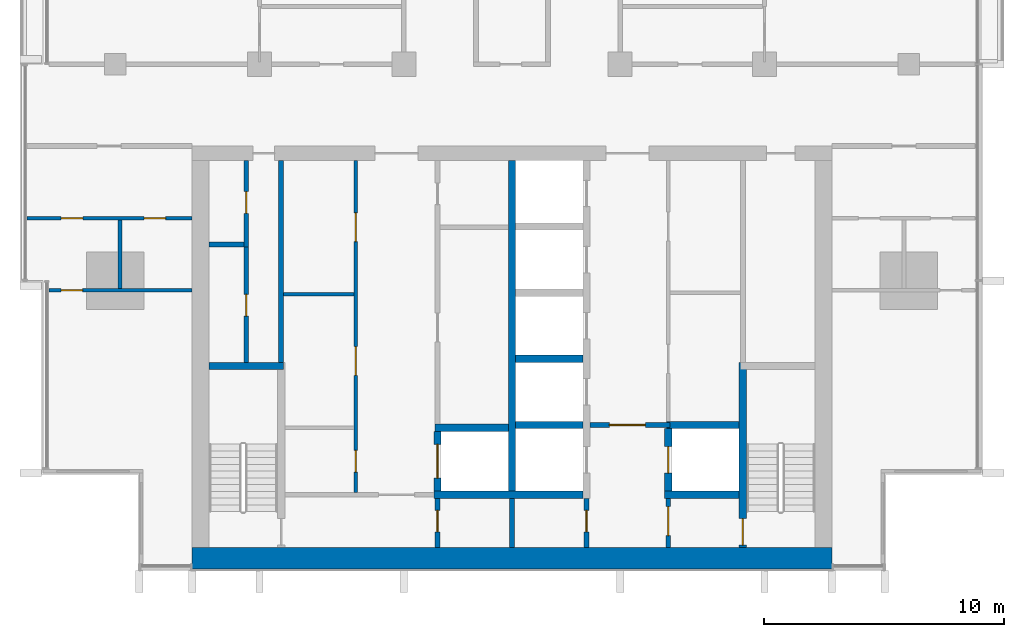
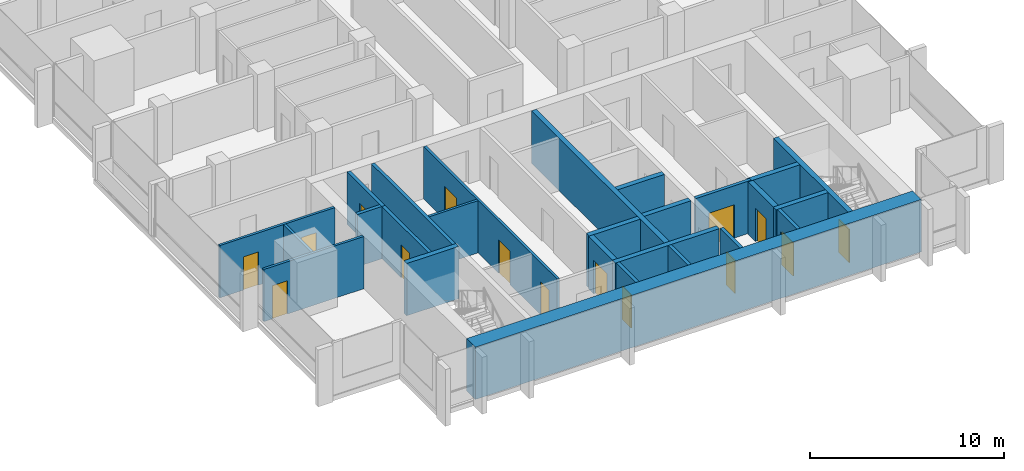
# One storey, part 7 of 16: 26 walls, 15 doors, 15 openings.
"""IFC4 building model written with IfcOpenShell, lengths in metres."""

from ifc_helpers import new_model, si_unit, direction, frame, frame_2d, origin, place, context, subcontext, project, spatial, rectangle, extrude, material, layer, layer_set, type_object, element, fill, save


model = new_model("IFC4")

# Units and contexts
model_context = context("Model", 3, precision=1e-05, world=origin(), true_north=direction((0.0, 1.0)))
body_context = subcontext(model_context, "Body", "Model", "MODEL_VIEW")
ifc_project = project(units=[si_unit("LENGTHUNIT", "METRE"), si_unit("AREAUNIT", "SQUARE_METRE"), si_unit("VOLUMEUNIT", "CUBIC_METRE"), si_unit("PLANEANGLEUNIT", "RADIAN"), si_unit("MASSUNIT", "GRAM", prefix="KILO")], contexts=[model_context])

# Site, building, storey
site_placement = place(None, origin())
site = spatial("IfcSite", under=ifc_project, at=site_placement, CompositionType="ELEMENT")
building_placement = place(site_placement, origin())
building = spatial("IfcBuilding", under=site, at=building_placement, Name="Finial Court Residences", CompositionType="ELEMENT")
storey_placement = place(building_placement, frame((0.0, 0.0, 160.10009765625)))
storey = spatial("IfcBuildingStorey", under=building, at=storey_placement, Name="L39", CompositionType="ELEMENT", Elevation=160.10009765625)

# Wall
ifc_material_1 = material(Name="Fire-rated gypsum board partition")
ifc_layer_1 = layer(ifc_material_1, 0.14990234375)
ifc_layer_set_1 = layer_set([ifc_layer_1], Name="Core room partition 150 EI 60")
wall_type_1 = type_object("IfcWallType", Name="Core room partition 150 EI 60", PredefinedType="PARTITIONING", material=ifc_layer_set_1)
wall_1_placement = place(storey_placement, frame((-9.5, -14.06005859375, 0.0), z_axis=(0.0, 0.0, 1.0), x_axis=(1.0, 0.0, 0.0)))
element("IfcWall", 1, at=wall_1_placement, inside=storey, type_object=wall_type_1, Name="Core partition L39-12", PredefinedType="PARTITIONING", context=body_context, shape_type="SweptSolid", body=[
    extrude(rectangle(XDim=2.925048828125, YDim=0.14990234375, at=frame_2d((1.46240234375, 0.0))), origin(), (0.0, 0.0, 1.0), 3.2998046875),
])

# Wall, openings, doors
wall_2_placement = place(storey_placement, frame((-6.5, -22.300048828125, 0.0), z_axis=(0.0, 0.0, 1.0), x_axis=(0.0, 1.0, 0.0)))
wall_2 = element("IfcWall", 2, at=wall_2_placement, inside=storey, type_object=wall_type_1, Name="Core partition L39-22", PredefinedType="PARTITIONING", context=body_context, shape_type="SweptSolid", body=[
    extrude(rectangle(XDim=13.800048828125, YDim=0.14990234375, at=frame_2d((6.89990234375, 0.0))), origin(), (0.0, 0.0, 1.0), 3.2998046875),
])
opening_1_placement = place(wall_2_placement, frame((0.840087890625, 0.0, 0.0)))
opening_1 = element("IfcOpeningElement", 3, at=opening_1_placement, cuts=wall_2, Name="Opening L39-C14", PredefinedType="OPENING", context=body_context, shape_type="SweptSolid", body=[
    extrude(rectangle(XDim=0.89990234375, YDim=2.10009765625, at=frame_2d((0.449951171875, 1.050048828125))), frame((0.0, 0.0849609375, 0.0), z_axis=(0.0, -1.0, 0.0), x_axis=(1.0, 0.0, 0.0)), (0.0, 0.0, 1.0), 0.169921875),
])
opening_2_placement = place(wall_2_placement, frame((4.860107421875, 0.0, 0.0)))
opening_2 = element("IfcOpeningElement", 4, at=opening_2_placement, cuts=wall_2, Name="Opening L39-C15", PredefinedType="OPENING", context=body_context, shape_type="SweptSolid", body=[
    extrude(rectangle(XDim=1.199951171875, YDim=2.10009765625, at=frame_2d((0.60009765625, 1.050048828125))), frame((0.0, 0.0849609375, 0.0), z_axis=(0.0, -1.0, 0.0), x_axis=(1.0, 0.0, 0.0)), (0.0, 0.0, 1.0), 0.169921875),
])
opening_3_placement = place(wall_2_placement, frame((10.419921875, 0.0, 0.0)))
opening_3 = element("IfcOpeningElement", 5, at=opening_3_placement, cuts=wall_2, Name="Opening L39-C16", PredefinedType="OPENING", context=body_context, shape_type="SweptSolid", body=[
    extrude(rectangle(XDim=1.199951171875, YDim=2.10009765625, at=frame_2d((0.60009765625, 1.050048828125))), frame((0.0, 0.0849609375, 0.0), z_axis=(0.0, -1.0, 0.0), x_axis=(1.0, 0.0, 0.0)), (0.0, 0.0, 1.0), 0.169921875),
])
ifc_material_2 = material(Name="Steel fire door", Category="steel")
door_type_1 = type_object("IfcDoorType", Name="Core room door 1200 x 2100 EI 60", OperationType="NOTDEFINED", PredefinedType="DOOR", material=ifc_material_2)
door_1_placement = place(opening_2_placement, origin())
door_1 = element("IfcDoor", 6, at=door_1_placement, inside=storey, type_object=door_type_1, Name="Core room door L39-C15", OperationType="SINGLE_SWING_RIGHT", OverallHeight=2.10009765625, OverallWidth=1.199951171875, PredefinedType="DOOR", context=body_context, shape_type="SweptSolid", body=[
    extrude(rectangle(XDim=1.199951171875, YDim=2.10009765625, at=frame_2d((0.60009765625, 1.050048828125))), frame((0.0, 0.02490234375, 0.0), z_axis=(0.0, -1.0, 0.0), x_axis=(1.0, 0.0, 0.0)), (0.0, 0.0, 1.0), 0.050048828125),
])
fill(opening_2, door_1)
door_2_placement = place(opening_3_placement, origin())
door_2 = element("IfcDoor", 7, at=door_2_placement, inside=storey, type_object=door_type_1, Name="Core room door L39-C16", OperationType="SINGLE_SWING_RIGHT", OverallHeight=2.10009765625, OverallWidth=1.199951171875, PredefinedType="DOOR", context=body_context, shape_type="SweptSolid", body=[
    extrude(rectangle(XDim=1.199951171875, YDim=2.10009765625, at=frame_2d((0.60009765625, 1.050048828125))), frame((0.0, 0.02490234375, 0.0), z_axis=(0.0, -1.0, 0.0), x_axis=(1.0, 0.0, 0.0)), (0.0, 0.0, 1.0), 0.050048828125),
])
fill(opening_3, door_2)
door_type_2 = type_object("IfcDoorType", Name="Core room door 900 x 2100 EI 60", OperationType="NOTDEFINED", PredefinedType="DOOR", material=ifc_material_2)
door_3_placement = place(opening_1_placement, origin())
door_3 = element("IfcDoor", 8, at=door_3_placement, inside=storey, type_object=door_type_2, Name="Core room door L39-C14", OperationType="SINGLE_SWING_LEFT", OverallHeight=2.10009765625, OverallWidth=0.89990234375, PredefinedType="DOOR", context=body_context, shape_type="SweptSolid", body=[
    extrude(rectangle(XDim=0.89990234375, YDim=2.10009765625, at=frame_2d((0.449951171875, 1.050048828125))), frame((0.0, 0.02490234375, 0.0), z_axis=(0.0, -1.0, 0.0), x_axis=(1.0, 0.0, 0.0)), (0.0, 0.0, 1.0), 0.050048828125),
])
fill(opening_1, door_3)

# Wall
ifc_material_3 = material(Name="Concrete C70/85", Category="concrete")
ifc_layer_2 = layer(ifc_material_3, 0.89990234375)
ifc_layer_set_2 = layer_set([ifc_layer_2], Name="Core south facade wall 900 Concrete C70/85")
wall_type_2 = type_object("IfcWallType", Name="Core south facade wall 900 Concrete C70/85", PredefinedType="SHEAR", material=ifc_layer_set_2)
wall_3_placement = place(storey_placement, frame((-13.300048828125, -25.050048828125, 0.0), z_axis=(0.0, 0.0, 1.0), x_axis=(1.0, 0.0, 0.0)))
element("IfcWall", 9, at=wall_3_placement, inside=storey, type_object=wall_type_2, Name="Core outer wall L39-01", PredefinedType="SHEAR", context=body_context, shape_type="SweptSolid", body=[
    extrude(rectangle(XDim=26.60009765625, YDim=0.89990234375, at=frame_2d((13.300048828125, 0.0))), origin(), (0.0, 0.0, 1.0), 3.2998046875),
])

# Wall, opening, door
ifc_layer_3 = layer(ifc_material_1, 0.199951171875)
ifc_layer_set_3 = layer_set([ifc_layer_3], Name="Firefighting lobby wall 200 EI 120")
wall_type_3 = type_object("IfcWallType", Name="Firefighting lobby wall 200 EI 120", PredefinedType="PARTITIONING", material=ifc_layer_set_3)
wall_4_placement = place(storey_placement, frame((6.574951171875, -19.5, 0.0), z_axis=(0.0, 0.0, 1.0), x_axis=(-1.0, 0.0, 0.0)))
wall_4 = element("IfcWall", 10, at=wall_4_placement, inside=storey, type_object=wall_type_3, Name="Core partition L39-07", PredefinedType="PARTITIONING", context=body_context, shape_type="SweptSolid", body=[
    extrude(rectangle(XDim=3.324951171875, YDim=0.199951171875, at=frame_2d((1.66259765625, 0.0))), origin(), (0.0, 0.0, 1.0), 3.2998046875),
])
opening_4_placement = place(wall_4_placement, frame((1.02490234375, 0.0, 0.0)))
opening_4 = element("IfcOpeningElement", 11, at=opening_4_placement, cuts=wall_4, Name="Opening L39-C02", PredefinedType="OPENING", context=body_context, shape_type="SweptSolid", body=[
    extrude(rectangle(XDim=1.5, YDim=2.10009765625, at=frame_2d((0.75, 1.050048828125))), frame((0.0, 0.10986328125, 0.0), z_axis=(0.0, -1.0, 0.0), x_axis=(1.0, 0.0, 0.0)), (0.0, 0.0, 1.0), 0.219970703125),
])
door_type_3 = type_object("IfcDoorType", Name="Firefighting lobby door 1500 x 2100 EI 90", OperationType="DOUBLE_DOOR_SINGLE_SWING", PredefinedType="DOOR", material=ifc_material_2)
door_4_placement = place(opening_4_placement, origin())
door_4 = element("IfcDoor", 12, at=door_4_placement, inside=storey, type_object=door_type_3, Name="Firefighting lobby door L39-C02", OperationType="DOUBLE_DOOR_SINGLE_SWING", OverallHeight=2.10009765625, OverallWidth=1.5, PredefinedType="DOOR", context=body_context, shape_type="SweptSolid", body=[
    extrude(rectangle(XDim=1.5, YDim=2.10009765625, at=frame_2d((0.75, 1.050048828125))), frame((0.0, 0.02490234375, 0.0), z_axis=(0.0, -1.0, 0.0), x_axis=(1.0, 0.0, 0.0)), (0.0, 0.0, 1.0), 0.050048828125),
])
fill(opening_4, door_4)

wall_5_placement = place(storey_placement, frame((3.10009765625, -24.60009765625, 0.0), z_axis=(0.0, 0.0, 1.0), x_axis=(0.0, 1.0, 0.0)))
wall_5 = element("IfcWall", 13, at=wall_5_placement, inside=storey, type_object=wall_type_3, Name="Core partition L39-28", PredefinedType="PARTITIONING", context=body_context, shape_type="SweptSolid", body=[
    extrude(rectangle(XDim=2.050048828125, YDim=0.199951171875, at=frame_2d((1.02490234375, 0.0))), origin(), (0.0, 0.0, 1.0), 3.2998046875),
])
opening_5_placement = place(wall_5_placement, frame((0.64990234375, 0.0, 0.0)))
opening_5 = element("IfcOpeningElement", 14, at=opening_5_placement, cuts=wall_5, Name="Opening L39-C06", PredefinedType="OPENING", context=body_context, shape_type="SweptSolid", body=[
    extrude(rectangle(XDim=0.89990234375, YDim=2.10009765625, at=frame_2d((0.449951171875, 1.050048828125))), frame((0.0, 0.10986328125, 0.0), z_axis=(0.0, -1.0, 0.0), x_axis=(1.0, 0.0, 0.0)), (0.0, 0.0, 1.0), 0.219970703125),
])
door_type_4 = type_object("IfcDoorType", Name="Riser room door 900 x 2100 EI 90", OperationType="NOTDEFINED", PredefinedType="DOOR", material=ifc_material_2)
door_5_placement = place(opening_5_placement, origin())
door_5 = element("IfcDoor", 15, at=door_5_placement, inside=storey, type_object=door_type_4, Name="Riser room door L39-C06", OperationType="SINGLE_SWING_LEFT", OverallHeight=2.10009765625, OverallWidth=0.89990234375, PredefinedType="DOOR", context=body_context, shape_type="SweptSolid", body=[
    extrude(rectangle(XDim=0.89990234375, YDim=2.10009765625, at=frame_2d((0.449951171875, 1.050048828125))), frame((0.0, 0.02490234375, 0.0), z_axis=(0.0, -1.0, 0.0), x_axis=(1.0, 0.0, 0.0)), (0.0, 0.0, 1.0), 0.050048828125),
])
fill(opening_5, door_5)

wall_6_placement = place(storey_placement, frame((6.5, -22.550048828125, 0.0), z_axis=(0.0, 0.0, 1.0), x_axis=(0.0, -1.0, 0.0)))
wall_6 = element("IfcWall", 16, at=wall_6_placement, inside=storey, type_object=wall_type_3, Name="Core partition L39-30", PredefinedType="PARTITIONING", context=body_context, shape_type="SweptSolid", body=[
    extrude(rectangle(XDim=2.050048828125, YDim=0.199951171875, at=frame_2d((1.02490234375, 0.0))), origin(), (0.0, 0.0, 1.0), 3.2998046875),
])
opening_6_placement = place(wall_6_placement, frame((0.35009765625, 0.0, 0.0)))
opening_6 = element("IfcOpeningElement", 17, at=opening_6_placement, cuts=wall_6, Name="Opening L39-C01", PredefinedType="OPENING", context=body_context, shape_type="SweptSolid", body=[
    extrude(rectangle(XDim=1.199951171875, YDim=2.10009765625, at=frame_2d((0.60009765625, 1.050048828125))), frame((0.0, 0.10986328125, 0.0), z_axis=(0.0, -1.0, 0.0), x_axis=(1.0, 0.0, 0.0)), (0.0, 0.0, 1.0), 0.219970703125),
])
door_type_5 = type_object("IfcDoorType", Name="Firefighting lobby door 1200 x 2100 EI 90", OperationType="NOTDEFINED", PredefinedType="DOOR", material=ifc_material_2)
door_6_placement = place(opening_6_placement, origin())
door_6 = element("IfcDoor", 18, at=door_6_placement, inside=storey, type_object=door_type_5, Name="Firefighting lobby door L39-C01", OperationType="SINGLE_SWING_RIGHT", OverallHeight=2.10009765625, OverallWidth=1.199951171875, PredefinedType="DOOR", context=body_context, shape_type="SweptSolid", body=[
    extrude(rectangle(XDim=1.199951171875, YDim=2.10009765625, at=frame_2d((0.60009765625, 1.050048828125))), frame((0.0, 0.02490234375, 0.0), z_axis=(0.0, -1.0, 0.0), x_axis=(1.0, 0.0, 0.0)), (0.0, 0.0, 1.0), 0.050048828125),
])
fill(opening_6, door_6)

ifc_material_4 = material(Name="Moisture-resistant gypsum board")
ifc_layer_4 = layer(ifc_material_4, 0.012451171875)
ifc_material_5 = material(Name="Mineral wool in light-gauge frame")
ifc_layer_5 = layer(ifc_material_5, 0.125)
ifc_layer_6 = layer(ifc_material_4, 0.012451171875)
ifc_layer_set_4 = layer_set([ifc_layer_4, ifc_layer_5, ifc_layer_6], Name="Gypsum board wet-area partition 150")
wall_type_4 = type_object("IfcWallType", Name="Gypsum board wet-area partition 150", PredefinedType="PARTITIONING", material=ifc_layer_set_4)
wall_7_placement = place(storey_placement, frame((-19.262451171875, -13.89990234375, 0.0), z_axis=(0.0, 0.0, 1.0), x_axis=(1.0, 0.0, 0.0)))
wall_7 = element("IfcWall", 19, at=wall_7_placement, inside=storey, type_object=wall_type_4, Name="Partition L39-000", PredefinedType="PARTITIONING", context=body_context, shape_type="SweptSolid", body=[
    extrude(rectangle(XDim=5.96240234375, YDim=0.14990234375, at=frame_2d((2.981201171875, 0.0))), origin(), (0.0, 0.0, 1.0), 3.2998046875),
])
opening_7_placement = place(wall_7_placement, frame((0.511962890625, 0.0, 0.0)))
opening_7 = element("IfcOpeningElement", 20, at=opening_7_placement, cuts=wall_7, Name="Opening L39-D001", PredefinedType="OPENING", context=body_context, shape_type="SweptSolid", body=[
    extrude(rectangle(XDim=0.89990234375, YDim=2.10009765625, at=frame_2d((0.449951171875, 1.050048828125))), frame((0.0, 0.0849609375, 0.0), z_axis=(0.0, -1.0, 0.0), x_axis=(1.0, 0.0, 0.0)), (0.0, 0.0, 1.0), 0.169921875),
])
ifc_material_6 = material(Name="Timber door leaf in timber frame", Category="wood")
door_type_6 = type_object("IfcDoorType", Name="Door set 900 x 2100", OperationType="SINGLE_SWING_LEFT", PredefinedType="DOOR", material=ifc_material_6)
door_7_placement = place(opening_7_placement, origin())
door_7 = element("IfcDoor", 21, at=door_7_placement, inside=storey, type_object=door_type_6, Name="Door L39-D001", OperationType="SINGLE_SWING_LEFT", OverallHeight=2.10009765625, OverallWidth=0.89990234375, PredefinedType="DOOR", context=body_context, shape_type="SweptSolid", body=[
    extrude(rectangle(XDim=0.89990234375, YDim=2.10009765625, at=frame_2d((0.449951171875, 1.050048828125))), frame((0.0, 0.02490234375, 0.0), z_axis=(0.0, -1.0, 0.0), x_axis=(1.0, 0.0, 0.0)), (0.0, 0.0, 1.0), 0.050048828125),
])
fill(opening_7, door_7)

# Wall, openings, doors
wall_8_placement = place(storey_placement, frame((-20.16259765625, -10.89990234375, 0.0), z_axis=(0.0, 0.0, 1.0), x_axis=(1.0, 0.0, 0.0)))
wall_8 = element("IfcWall", 22, at=wall_8_placement, inside=storey, type_object=wall_type_4, Name="Partition L39-002", PredefinedType="PARTITIONING", context=body_context, shape_type="SweptSolid", body=[
    extrude(rectangle(XDim=6.862548828125, YDim=0.14990234375, at=frame_2d((3.43115234375, 0.0))), origin(), (0.0, 0.0, 1.0), 3.2998046875),
])
opening_8_placement = place(wall_8_placement, frame((1.4130859375, 0.0, 0.0)))
opening_8 = element("IfcOpeningElement", 23, at=opening_8_placement, cuts=wall_8, Name="Opening L39-D003", PredefinedType="OPENING", context=body_context, shape_type="SweptSolid", body=[
    extrude(rectangle(XDim=0.89990234375, YDim=2.10009765625, at=frame_2d((0.449951171875, 1.050048828125))), frame((0.0, 0.0849609375, 0.0), z_axis=(0.0, -1.0, 0.0), x_axis=(1.0, 0.0, 0.0)), (0.0, 0.0, 1.0), 0.169921875),
])
opening_9_placement = place(wall_8_placement, frame((4.863037109375, 0.0, 0.0)))
opening_9 = element("IfcOpeningElement", 24, at=opening_9_placement, cuts=wall_8, Name="Opening L39-D004", PredefinedType="OPENING", context=body_context, shape_type="SweptSolid", body=[
    extrude(rectangle(XDim=0.89990234375, YDim=2.10009765625, at=frame_2d((0.449951171875, 1.050048828125))), frame((0.0, 0.0849609375, 0.0), z_axis=(0.0, -1.0, 0.0), x_axis=(1.0, 0.0, 0.0)), (0.0, 0.0, 1.0), 0.169921875),
])
door_8_placement = place(opening_8_placement, origin())
door_8 = element("IfcDoor", 25, at=door_8_placement, inside=storey, type_object=door_type_6, Name="Door L39-D003", OperationType="SINGLE_SWING_LEFT", OverallHeight=2.10009765625, OverallWidth=0.89990234375, PredefinedType="DOOR", context=body_context, shape_type="SweptSolid", body=[
    extrude(rectangle(XDim=0.89990234375, YDim=2.10009765625, at=frame_2d((0.449951171875, 1.050048828125))), frame((0.0, 0.02490234375, 0.0), z_axis=(0.0, -1.0, 0.0), x_axis=(1.0, 0.0, 0.0)), (0.0, 0.0, 1.0), 0.050048828125),
])
fill(opening_8, door_8)
door_9_placement = place(opening_9_placement, origin())
door_9 = element("IfcDoor", 26, at=door_9_placement, inside=storey, type_object=door_type_6, Name="Door L39-D004", OperationType="SINGLE_SWING_RIGHT", OverallHeight=2.10009765625, OverallWidth=0.89990234375, PredefinedType="DOOR", context=body_context, shape_type="SweptSolid", body=[
    extrude(rectangle(XDim=0.89990234375, YDim=2.10009765625, at=frame_2d((0.449951171875, 1.050048828125))), frame((0.0, 0.02490234375, 0.0), z_axis=(0.0, -1.0, 0.0), x_axis=(1.0, 0.0, 0.0)), (0.0, 0.0, 1.0), 0.050048828125),
])
fill(opening_9, door_9)

# Walls
wall_9_placement = place(storey_placement, frame((-16.300048828125, -13.824951171875, 0.0), z_axis=(0.0, 0.0, 1.0), x_axis=(0.0, 1.0, 0.0)))
element("IfcWall", 27, at=wall_9_placement, inside=storey, type_object=wall_type_4, Name="Partition L39-034", PredefinedType="PARTITIONING", context=body_context, shape_type="SweptSolid", body=[
    extrude(rectangle(XDim=2.849853515625, YDim=0.14990234375, at=frame_2d((1.4248046875, 0.0))), origin(), (0.0, 0.0, 1.0), 3.2998046875),
])
ifc_layer_7 = layer(ifc_material_3, 0.300048828125)
ifc_layer_set_5 = layer_set([ifc_layer_7], Name="Lift shaft and stair wall 300 Concrete C70/85")
wall_type_5 = type_object("IfcWallType", Name="Lift shaft and stair wall 300 Concrete C70/85", PredefinedType="SHEAR", material=ifc_layer_set_5)
wall_10_placement = place(storey_placement, frame((-3.25, -22.39990234375, 0.0), z_axis=(0.0, 0.0, 1.0), x_axis=(1.0, 0.0, 0.0)))
element("IfcWall", 28, at=wall_10_placement, inside=storey, type_object=wall_type_5, Name="Core wall L39-02", PredefinedType="SHEAR", context=body_context, shape_type="SweptSolid", body=[
    extrude(rectangle(XDim=6.199951171875, YDim=0.300048828125, at=frame_2d((3.10009765625, 0.0))), origin(), (0.0, 0.0, 1.0), 3.2998046875),
])
wall_11_placement = place(storey_placement, frame((6.35009765625, -22.39990234375, 0.0), z_axis=(0.0, 0.0, 1.0), x_axis=(1.0, 0.0, 0.0)))
element("IfcWall", 29, at=wall_11_placement, inside=storey, type_object=wall_type_5, Name="Core wall L39-03", PredefinedType="SHEAR", context=body_context, shape_type="SweptSolid", body=[
    extrude(rectangle(XDim=3.099853515625, YDim=0.300048828125, at=frame_2d((1.5498046875, 0.0))), origin(), (0.0, 0.0, 1.0), 3.2998046875),
])
wall_12_placement = place(storey_placement, frame((-3.199951171875, -19.6201171875, 0.0), z_axis=(0.0, 0.0, 1.0), x_axis=(1.0, 0.0, 0.0)))
element("IfcWall", 30, at=wall_12_placement, inside=storey, type_object=wall_type_5, Name="Core wall L39-05", PredefinedType="SHEAR", context=body_context, shape_type="SweptSolid", body=[
    extrude(rectangle(XDim=3.050048828125, YDim=0.300048828125, at=frame_2d((1.52490234375, 0.0))), origin(), (0.0, 0.0, 1.0), 3.2998046875),
])
wall_13_placement = place(storey_placement, frame((0.14990234375, -19.5, 0.0), z_axis=(0.0, 0.0, 1.0), x_axis=(1.0, 0.0, 0.0)))
element("IfcWall", 31, at=wall_13_placement, inside=storey, type_object=wall_type_5, Name="Core wall L39-06", PredefinedType="SHEAR", context=body_context, shape_type="SweptSolid", body=[
    extrude(rectangle(XDim=2.800048828125, YDim=0.300048828125, at=frame_2d((1.39990234375, 0.0))), origin(), (0.0, 0.0, 1.0), 3.2998046875),
])
wall_14_placement = place(storey_placement, frame((6.425048828125, -19.5, 0.0), z_axis=(0.0, 0.0, 1.0), x_axis=(1.0, 0.0, 0.0)))
element("IfcWall", 32, at=wall_14_placement, inside=storey, type_object=wall_type_5, Name="Core wall L39-08", PredefinedType="SHEAR", context=body_context, shape_type="SweptSolid", body=[
    extrude(rectangle(XDim=3.02490234375, YDim=0.300048828125, at=frame_2d((1.512451171875, 0.0))), origin(), (0.0, 0.0, 1.0), 3.2998046875),
])
wall_15_placement = place(storey_placement, frame((-12.60009765625, -17.050048828125, 0.0), z_axis=(0.0, 0.0, 1.0), x_axis=(1.0, 0.0, 0.0)))
element("IfcWall", 33, at=wall_15_placement, inside=storey, type_object=wall_type_5, Name="Core wall L39-09", PredefinedType="SHEAR", context=body_context, shape_type="SweptSolid", body=[
    extrude(rectangle(XDim=3.10009765625, YDim=0.300048828125, at=frame_2d((1.550048828125, 0.0))), origin(), (0.0, 0.0, 1.0), 3.2998046875),
])
wall_16_placement = place(storey_placement, frame((0.14990234375, -16.75, 0.0), z_axis=(0.0, 0.0, 1.0), x_axis=(1.0, 0.0, 0.0)))
element("IfcWall", 34, at=wall_16_placement, inside=storey, type_object=wall_type_5, Name="Core wall L39-11", PredefinedType="SHEAR", context=body_context, shape_type="SweptSolid", body=[
    extrude(rectangle(XDim=2.800048828125, YDim=0.300048828125, at=frame_2d((1.39990234375, 0.0))), origin(), (0.0, 0.0, 1.0), 3.2998046875),
])

# Wall, opening, door
wall_17_placement = place(storey_placement, frame((-3.10009765625, -22.25, 0.0), z_axis=(0.0, 0.0, 1.0), x_axis=(0.0, 1.0, 0.0)))
wall_17 = element("IfcWall", 35, at=wall_17_placement, inside=storey, type_object=wall_type_5, Name="Core wall L39-24", PredefinedType="SHEAR", context=body_context, shape_type="SweptSolid", body=[
    extrude(rectangle(XDim=2.47998046875, YDim=0.300048828125, at=frame_2d((1.239990234375, 0.0))), origin(), (0.0, 0.0, 1.0), 3.2998046875),
])
opening_10_placement = place(wall_17_placement, frame((0.5400390625, 0.0, 0.0)))
opening_10 = element("IfcOpeningElement", 36, at=opening_10_placement, cuts=wall_17, Name="Opening L39-LD07", PredefinedType="OPENING", context=body_context, shape_type="SweptSolid", body=[
    extrude(rectangle(XDim=1.39990234375, YDim=2.10009765625, at=frame_2d((0.699951171875, 1.050048828125))), frame((0.0, 0.159912109375, 0.0), z_axis=(0.0, -1.0, 0.0), x_axis=(1.0, 0.0, 0.0)), (0.0, 0.0, 1.0), 0.320068359375),
])
ifc_material_7 = material(Name="Stainless steel lift door", Category="steel")
door_type_7 = type_object("IfcDoorType", Name="Lift landing door 1400 x 2100 EI 90", OperationType="DOUBLE_DOOR_SLIDING", PredefinedType="DOOR", material=ifc_material_7)
door_10_placement = place(opening_10_placement, origin())
door_10 = element("IfcDoor", 37, at=door_10_placement, inside=storey, type_object=door_type_7, Name="Lift landing door SV1 L39", OperationType="DOUBLE_DOOR_SLIDING", OverallHeight=2.10009765625, OverallWidth=1.39990234375, PredefinedType="DOOR", context=body_context, shape_type="SweptSolid", body=[
    extrude(rectangle(XDim=1.39990234375, YDim=2.10009765625, at=frame_2d((0.699951171875, 1.050048828125))), frame((0.0, 0.02490234375, 0.0), z_axis=(0.0, -1.0, 0.0), x_axis=(1.0, 0.0, 0.0)), (0.0, 0.0, 1.0), 0.050048828125),
])
fill(opening_10, door_10)

# Wall
wall_18_placement = place(storey_placement, frame((0.0, -22.25, 0.0), z_axis=(0.0, 0.0, 1.0), x_axis=(0.0, 1.0, 0.0)))
element("IfcWall", 38, at=wall_18_placement, inside=storey, type_object=wall_type_5, Name="Core wall L39-27", PredefinedType="SHEAR", context=body_context, shape_type="SweptSolid", body=[
    extrude(rectangle(XDim=13.75, YDim=0.300048828125, at=frame_2d((6.875, 0.0))), origin(), (0.0, 0.0, 1.0), 3.2998046875),
])

# Wall, opening, door
wall_19_placement = place(storey_placement, frame((6.5, -22.25, 0.0), z_axis=(0.0, 0.0, 1.0), x_axis=(0.0, 1.0, 0.0)))
wall_19 = element("IfcWall", 39, at=wall_19_placement, inside=storey, type_object=wall_type_5, Name="Core wall L39-31", PredefinedType="SHEAR", context=body_context, shape_type="SweptSolid", body=[
    extrude(rectangle(XDim=2.60009765625, YDim=0.300048828125, at=frame_2d((1.300048828125, 0.0))), origin(), (0.0, 0.0, 1.0), 3.2998046875),
])
opening_11_placement = place(wall_19_placement, frame((0.75, 0.0, 0.0)))
opening_11 = element("IfcOpeningElement", 40, at=opening_11_placement, cuts=wall_19, Name="Opening L39-LD02", PredefinedType="OPENING", context=body_context, shape_type="SweptSolid", body=[
    extrude(rectangle(XDim=1.10009765625, YDim=2.10009765625, at=frame_2d((0.550048828125, 1.050048828125))), frame((0.0, 0.159912109375, 0.0), z_axis=(0.0, -1.0, 0.0), x_axis=(1.0, 0.0, 0.0)), (0.0, 0.0, 1.0), 0.320068359375),
])
door_type_8 = type_object("IfcDoorType", Name="Lift landing door 1100 x 2100 EI 90", OperationType="DOUBLE_DOOR_SLIDING", PredefinedType="DOOR", material=ifc_material_7)
door_11_placement = place(opening_11_placement, origin())
door_11 = element("IfcDoor", 41, at=door_11_placement, inside=storey, type_object=door_type_8, Name="Lift landing door FF2 L39", OperationType="DOUBLE_DOOR_SLIDING", OverallHeight=2.10009765625, OverallWidth=1.10009765625, PredefinedType="DOOR", context=body_context, shape_type="SweptSolid", body=[
    extrude(rectangle(XDim=1.10009765625, YDim=2.10009765625, at=frame_2d((0.550048828125, 1.050048828125))), frame((0.0, 0.02490234375, 0.0), z_axis=(0.0, -1.0, 0.0), x_axis=(1.0, 0.0, 0.0)), (0.0, 0.0, 1.0), 0.050048828125),
])
fill(opening_11, door_11)

wall_20_placement = place(storey_placement, frame((9.60009765625, -16.89990234375, 0.0), z_axis=(0.0, 0.0, 1.0), x_axis=(0.0, -1.0, 0.0)))
wall_20 = element("IfcWall", 42, at=wall_20_placement, inside=storey, type_object=wall_type_5, Name="Core wall L39-33", PredefinedType="SHEAR", context=body_context, shape_type="SweptSolid", body=[
    extrude(rectangle(XDim=7.7001953125, YDim=0.300048828125, at=frame_2d((3.85009765625, 0.0))), origin(), (0.0, 0.0, 1.0), 3.2998046875),
])
opening_12_placement = place(wall_20_placement, frame((6.5, 0.0, 0.0)))
opening_12 = element("IfcOpeningElement", 43, at=opening_12_placement, cuts=wall_20, Name="Opening L39-C20", PredefinedType="OPENING", context=body_context, shape_type="SweptSolid", body=[
    extrude(rectangle(XDim=1.10009765625, YDim=2.10009765625, at=frame_2d((0.550048828125, 1.050048828125))), frame((0.0, 0.159912109375, 0.0), z_axis=(0.0, -1.0, 0.0), x_axis=(1.0, 0.0, 0.0)), (0.0, 0.0, 1.0), 0.320068359375),
])
door_type_9 = type_object("IfcDoorType", Name="Stair door 1100 x 2100 EI 90", OperationType="NOTDEFINED", PredefinedType="DOOR", material=ifc_material_2)
door_12_placement = place(opening_12_placement, origin())
door_12 = element("IfcDoor", 44, at=door_12_placement, inside=storey, type_object=door_type_9, Name="Stair door L39-C20", OperationType="SINGLE_SWING_RIGHT", OverallHeight=2.10009765625, OverallWidth=1.10009765625, PredefinedType="DOOR", context=body_context, shape_type="SweptSolid", body=[
    extrude(rectangle(XDim=1.10009765625, YDim=2.10009765625, at=frame_2d((0.550048828125, 1.050048828125))), frame((0.0, 0.02490234375, 0.0), z_axis=(0.0, -1.0, 0.0), x_axis=(1.0, 0.0, 0.0)), (0.0, 0.0, 1.0), 0.050048828125),
])
fill(opening_12, door_12)

# Wall
ifc_layer_8 = layer(ifc_material_1, 0.199951171875)
ifc_layer_set_6 = layer_set([ifc_layer_8], Name="Riser room wall 200 EI 120")
wall_type_6 = type_object("IfcWallType", Name="Riser room wall 200 EI 120", PredefinedType="PARTITIONING", material=ifc_layer_set_6)
wall_21_placement = place(storey_placement, frame((-12.60009765625, -12.0, 0.0), z_axis=(0.0, 0.0, 1.0), x_axis=(1.0, 0.0, 0.0)))
element("IfcWall", 45, at=wall_21_placement, inside=storey, type_object=wall_type_6, Name="Core partition L39-15", PredefinedType="PARTITIONING", context=body_context, shape_type="SweptSolid", body=[
    extrude(rectangle(XDim=1.4501953125, YDim=0.199951171875, at=frame_2d((0.72509765625, 0.0))), origin(), (0.0, 0.0, 1.0), 3.2998046875),
])

# Wall, opening, door
wall_22_placement = place(storey_placement, frame((-11.050048828125, -12.10009765625, 0.0), z_axis=(0.0, 0.0, 1.0), x_axis=(0.0, 1.0, 0.0)))
wall_22 = element("IfcWall", 46, at=wall_22_placement, inside=storey, type_object=wall_type_6, Name="Core partition L39-19", PredefinedType="PARTITIONING", context=body_context, shape_type="SweptSolid", body=[
    extrude(rectangle(XDim=3.60009765625, YDim=0.199951171875, at=frame_2d((1.800048828125, 0.0))), origin(), (0.0, 0.0, 1.0), 3.2998046875),
])
opening_13_placement = place(wall_22_placement, frame((1.39990234375, 0.0, 0.0)))
opening_13 = element("IfcOpeningElement", 47, at=opening_13_placement, cuts=wall_22, Name="Opening L39-C07", PredefinedType="OPENING", context=body_context, shape_type="SweptSolid", body=[
    extrude(rectangle(XDim=0.89990234375, YDim=2.10009765625, at=frame_2d((0.449951171875, 1.050048828125))), frame((0.0, 0.10986328125, 0.0), z_axis=(0.0, -1.0, 0.0), x_axis=(1.0, 0.0, 0.0)), (0.0, 0.0, 1.0), 0.219970703125),
])
door_13_placement = place(opening_13_placement, origin())
door_13 = element("IfcDoor", 48, at=door_13_placement, inside=storey, type_object=door_type_4, Name="Riser room door L39-C07", OperationType="SINGLE_SWING_LEFT", OverallHeight=2.10009765625, OverallWidth=0.89990234375, PredefinedType="DOOR", context=body_context, shape_type="SweptSolid", body=[
    extrude(rectangle(XDim=0.89990234375, YDim=2.10009765625, at=frame_2d((0.449951171875, 1.050048828125))), frame((0.0, 0.02490234375, 0.0), z_axis=(0.0, -1.0, 0.0), x_axis=(1.0, 0.0, 0.0)), (0.0, 0.0, 1.0), 0.050048828125),
])
fill(opening_13, door_13)

# Wall
wall_23_placement = place(storey_placement, frame((0.0, -24.60009765625, 0.0), z_axis=(0.0, 0.0, 1.0), x_axis=(0.0, 1.0, 0.0)))
element("IfcWall", 49, at=wall_23_placement, inside=storey, type_object=wall_type_6, Name="Core partition L39-26", PredefinedType="PARTITIONING", context=body_context, shape_type="SweptSolid", body=[
    extrude(rectangle(XDim=2.050048828125, YDim=0.199951171875, at=frame_2d((1.02490234375, 0.0))), origin(), (0.0, 0.0, 1.0), 3.2998046875),
])

# Wall, opening, door
ifc_layer_9 = layer(ifc_material_1, 0.199951171875)
ifc_layer_set_7 = layer_set([ifc_layer_9], Name="Stair passage wall 200 EI 180")
wall_type_7 = type_object("IfcWallType", Name="Stair passage wall 200 EI 180", PredefinedType="PARTITIONING", material=ifc_layer_set_7)
wall_24_placement = place(storey_placement, frame((-11.050048828125, -16.89990234375, 0.0), z_axis=(0.0, 0.0, 1.0), x_axis=(0.0, 1.0, 0.0)))
wall_24 = element("IfcWall", 50, at=wall_24_placement, inside=storey, type_object=wall_type_7, Name="Core partition L39-18", PredefinedType="PARTITIONING", context=body_context, shape_type="SweptSolid", body=[
    extrude(rectangle(XDim=5.0, YDim=0.199951171875, at=frame_2d((2.5, 0.0))), origin(), (0.0, 0.0, 1.0), 3.2998046875),
])
opening_14_placement = place(wall_24_placement, frame((1.925048828125, 0.0, 0.0)))
opening_14 = element("IfcOpeningElement", 51, at=opening_14_placement, cuts=wall_24, Name="Opening L39-C13", PredefinedType="OPENING", context=body_context, shape_type="SweptSolid", body=[
    extrude(rectangle(XDim=0.89990234375, YDim=2.10009765625, at=frame_2d((0.449951171875, 1.050048828125))), frame((0.0, 0.10986328125, 0.0), z_axis=(0.0, -1.0, 0.0), x_axis=(1.0, 0.0, 0.0)), (0.0, 0.0, 1.0), 0.219970703125),
])
door_14_placement = place(opening_14_placement, origin())
door_14 = element("IfcDoor", 52, at=door_14_placement, inside=storey, type_object=door_type_2, Name="Core room door L39-C13", OperationType="SINGLE_SWING_LEFT", OverallHeight=2.10009765625, OverallWidth=0.89990234375, PredefinedType="DOOR", context=body_context, shape_type="SweptSolid", body=[
    extrude(rectangle(XDim=0.89990234375, YDim=2.10009765625, at=frame_2d((0.449951171875, 1.050048828125))), frame((0.0, 0.02490234375, 0.0), z_axis=(0.0, -1.0, 0.0), x_axis=(1.0, 0.0, 0.0)), (0.0, 0.0, 1.0), 0.050048828125),
])
fill(opening_14, door_14)

# Wall
wall_25_placement = place(storey_placement, frame((-9.60009765625, -16.89990234375, 0.0), z_axis=(0.0, 0.0, 1.0), x_axis=(0.0, 1.0, 0.0)))
element("IfcWall", 53, at=wall_25_placement, inside=storey, type_object=wall_type_7, Name="Core partition L39-21", PredefinedType="PARTITIONING", context=body_context, shape_type="SweptSolid", body=[
    extrude(rectangle(XDim=8.39990234375, YDim=0.199951171875, at=frame_2d((4.199951171875, 0.0))), origin(), (0.0, 0.0, 1.0), 3.2998046875),
])

# Wall, opening, door
wall_26_placement = place(storey_placement, frame((-3.10009765625, -22.550048828125, 0.0), z_axis=(0.0, 0.0, 1.0), x_axis=(0.0, -1.0, 0.0)))
wall_26 = element("IfcWall", 54, at=wall_26_placement, inside=storey, type_object=wall_type_7, Name="Core partition L39-23", PredefinedType="PARTITIONING", context=body_context, shape_type="SweptSolid", body=[
    extrude(rectangle(XDim=2.050048828125, YDim=0.199951171875, at=frame_2d((1.02490234375, 0.0))), origin(), (0.0, 0.0, 1.0), 3.2998046875),
])
opening_15_placement = place(wall_26_placement, frame((0.5, 0.0, 0.0)))
opening_15 = element("IfcOpeningElement", 55, at=opening_15_placement, cuts=wall_26, Name="Opening L39-C12", PredefinedType="OPENING", context=body_context, shape_type="SweptSolid", body=[
    extrude(rectangle(XDim=0.89990234375, YDim=2.10009765625, at=frame_2d((0.449951171875, 1.050048828125))), frame((0.0, 0.10986328125, 0.0), z_axis=(0.0, -1.0, 0.0), x_axis=(1.0, 0.0, 0.0)), (0.0, 0.0, 1.0), 0.219970703125),
])
door_15_placement = place(opening_15_placement, origin())
door_15 = element("IfcDoor", 56, at=door_15_placement, inside=storey, type_object=door_type_2, Name="Core room door L39-C12", OperationType="SINGLE_SWING_RIGHT", OverallHeight=2.10009765625, OverallWidth=0.89990234375, PredefinedType="DOOR", context=body_context, shape_type="SweptSolid", body=[
    extrude(rectangle(XDim=0.89990234375, YDim=2.10009765625, at=frame_2d((0.449951171875, 1.050048828125))), frame((0.0, 0.02490234375, 0.0), z_axis=(0.0, -1.0, 0.0), x_axis=(1.0, 0.0, 0.0)), (0.0, 0.0, 1.0), 0.050048828125),
])
fill(opening_15, door_15)

save(model, "model.ifc")
